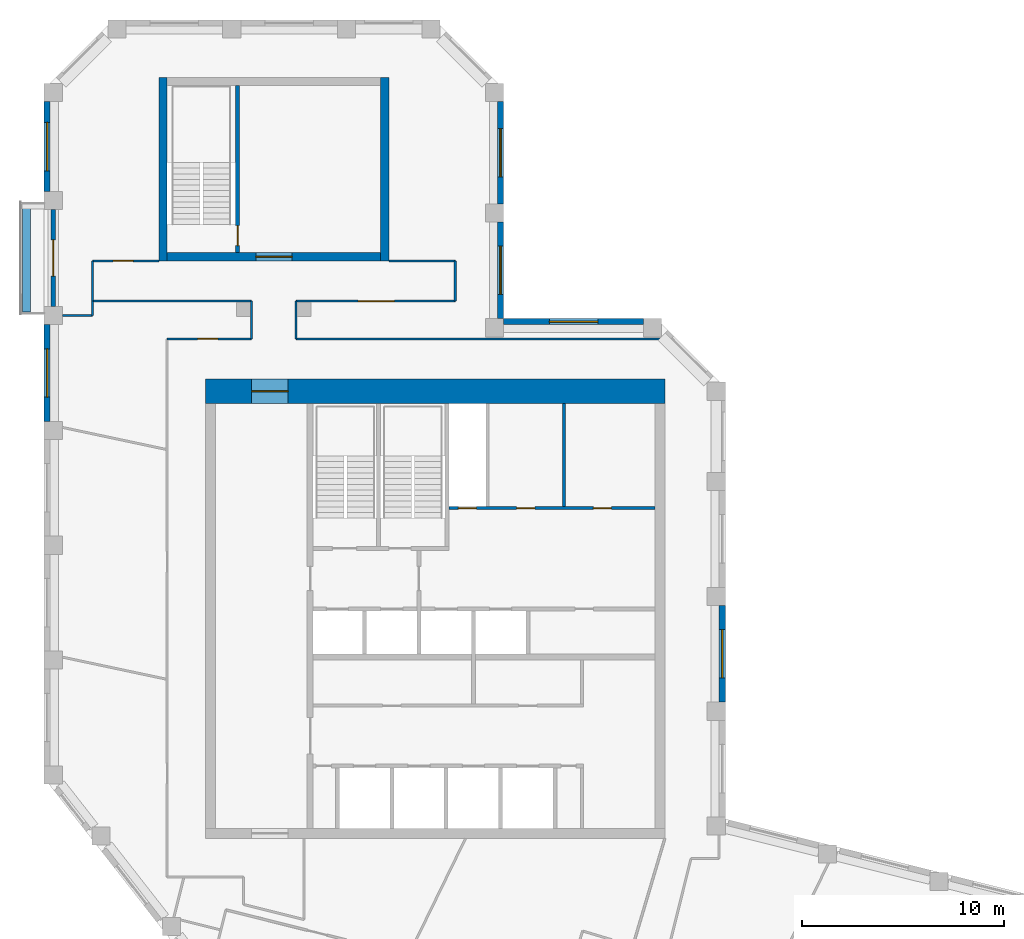
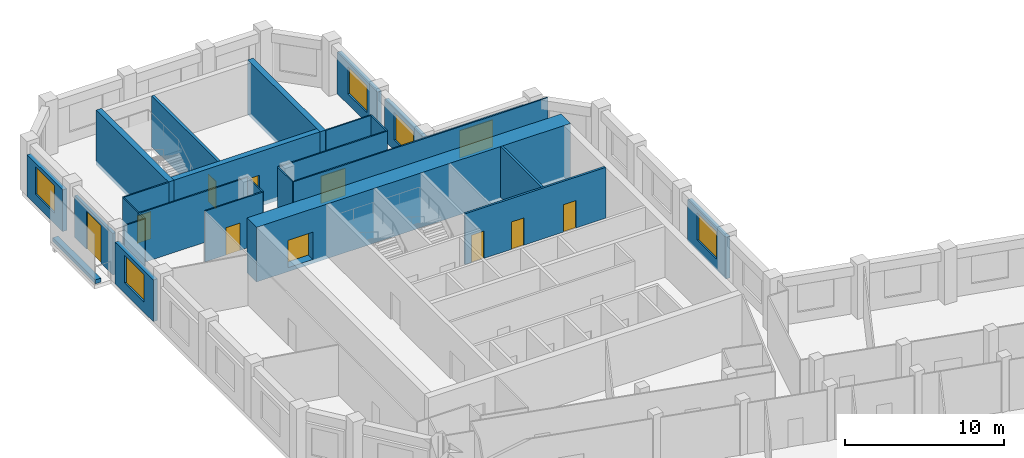
# One storey, part 6 of 8: 27 walls, 10 doors, 6 windows, 16 openings.
"""IFC4 building model written with IfcOpenShell, lengths in metres."""

from ifc_helpers import new_model, si_unit, direction, frame, frame_2d, origin, place, context, subcontext, project, spatial, rectangle, extrude, material, layer, layer_set, type_object, element, fill, save


model = new_model("IFC4")

# Units and contexts
model_context = context("Model", 3, precision=1e-05, world=origin(), true_north=direction((0.0, 1.0)))
body_context = subcontext(model_context, "Body", "Model", "MODEL_VIEW")
ifc_project = project(units=[si_unit("LENGTHUNIT", "METRE"), si_unit("AREAUNIT", "SQUARE_METRE"), si_unit("VOLUMEUNIT", "CUBIC_METRE"), si_unit("PLANEANGLEUNIT", "RADIAN"), si_unit("MASSUNIT", "GRAM", prefix="KILO")], contexts=[model_context])

# Site, building, storey
site_placement = place(None, origin())
site = spatial("IfcSite", under=ifc_project, at=site_placement, CompositionType="ELEMENT")
building_placement = place(site_placement, origin())
building = spatial("IfcBuilding", under=site, at=building_placement, Name="Meshkara Civic Tower", CompositionType="ELEMENT")
storey_placement = place(building_placement, frame((0.0, 0.0, 366.60009765625)))
storey = spatial("IfcBuildingStorey", under=building, at=storey_placement, Name="L84", CompositionType="ELEMENT", Elevation=366.60009765625)

# Wall, openings, doors
ifc_material_1 = material(Name="Blockwork", Category="masonry")
ifc_layer_1 = layer(ifc_material_1, 0.14990234375)
ifc_layer_set_1 = layer_set([ifc_layer_1], Name="Core partition 150")
wall_type_1 = type_object("IfcWallType", Name="Core partition 150", PredefinedType="PARTITIONING", material=ifc_layer_set_1)
wall_1_placement = place(storey_placement, frame((20.10009765625, 30.5, 0.0), z_axis=(0.0, 0.0, 1.0), x_axis=(1.0, 0.0, 0.0)))
wall_1 = element("IfcWall", 1, at=wall_1_placement, inside=storey, type_object=wall_type_1, Name="L84-C010", PredefinedType="PARTITIONING", context=body_context, shape_type="SweptSolid", body=[
    extrude(rectangle(XDim=10.199951171875, YDim=0.14990234375, at=frame_2d((5.10009765625, 0.0))), origin(), (0.0, 0.0, 1.0), 3.89990234375),
])
opening_1_placement = place(wall_1_placement, frame((0.449951171875, 0.0, 0.0)))
opening_1 = element("IfcOpeningElement", 2, at=opening_1_placement, cuts=wall_1, Name="Opening L84-K014", PredefinedType="OPENING", context=body_context, shape_type="SweptSolid", body=[
    extrude(rectangle(XDim=0.89990234375, YDim=2.10009765625, at=frame_2d((0.449951171875, 1.050048828125))), frame((0.0, 0.0849609375, 0.0), z_axis=(0.0, -1.0, 0.0), x_axis=(1.0, 0.0, 0.0)), (0.0, 0.0, 1.0), 0.169921875),
])
opening_2_placement = place(wall_1_placement, frame((3.35009765625, 0.0, 0.0)))
opening_2 = element("IfcOpeningElement", 3, at=opening_2_placement, cuts=wall_1, Name="Opening L84-K015", PredefinedType="OPENING", context=body_context, shape_type="SweptSolid", body=[
    extrude(rectangle(XDim=0.89990234375, YDim=2.10009765625, at=frame_2d((0.449951171875, 1.050048828125))), frame((0.0, 0.0849609375, 0.0), z_axis=(0.0, -1.0, 0.0), x_axis=(1.0, 0.0, 0.0)), (0.0, 0.0, 1.0), 0.169921875),
])
opening_3_placement = place(wall_1_placement, frame((7.14990234375, 0.0, 0.0)))
opening_3 = element("IfcOpeningElement", 4, at=opening_3_placement, cuts=wall_1, Name="Opening L84-K016", PredefinedType="OPENING", context=body_context, shape_type="SweptSolid", body=[
    extrude(rectangle(XDim=0.89990234375, YDim=2.10009765625, at=frame_2d((0.449951171875, 1.050048828125))), frame((0.0, 0.0849609375, 0.0), z_axis=(0.0, -1.0, 0.0), x_axis=(1.0, 0.0, 0.0)), (0.0, 0.0, 1.0), 0.169921875),
])
ifc_material_2 = material(Name="Timber door leaf in steel frame", Category="steel")
door_type_1 = type_object("IfcDoorType", Name="Core room door 900", OperationType="SINGLE_SWING_LEFT", PredefinedType="DOOR", material=ifc_material_2)
door_1_placement = place(opening_2_placement, origin())
door_1 = element("IfcDoor", 5, at=door_1_placement, inside=storey, type_object=door_type_1, Name="L84-K015", OperationType="SINGLE_SWING_RIGHT", OverallHeight=2.10009765625, OverallWidth=0.89990234375, PredefinedType="DOOR", context=body_context, shape_type="SweptSolid", body=[
    extrude(rectangle(XDim=0.89990234375, YDim=2.10009765625, at=frame_2d((0.449951171875, 1.050048828125))), frame((0.0, 0.02490234375, 0.0), z_axis=(0.0, -1.0, 0.0), x_axis=(1.0, 0.0, 0.0)), (0.0, 0.0, 1.0), 0.050048828125),
])
fill(opening_2, door_1)
ifc_material_3 = material(Name="Fire-rated door leaf in steel frame", Category="steel")
door_type_2 = type_object("IfcDoorType", Name="Riser door 900", OperationType="SINGLE_SWING_LEFT", PredefinedType="DOOR", material=ifc_material_3)
door_2_placement = place(opening_1_placement, origin())
door_2 = element("IfcDoor", 6, at=door_2_placement, inside=storey, type_object=door_type_2, Name="L84-K014", OperationType="SINGLE_SWING_RIGHT", OverallHeight=2.10009765625, OverallWidth=0.89990234375, PredefinedType="DOOR", context=body_context, shape_type="SweptSolid", body=[
    extrude(rectangle(XDim=0.89990234375, YDim=2.10009765625, at=frame_2d((0.449951171875, 1.050048828125))), frame((0.0, 0.02490234375, 0.0), z_axis=(0.0, -1.0, 0.0), x_axis=(1.0, 0.0, 0.0)), (0.0, 0.0, 1.0), 0.050048828125),
])
fill(opening_1, door_2)
ifc_material_4 = material(Name="Timber door leaf in steel frame", Category="steel")
door_type_3 = type_object("IfcDoorType", Name="WC door 900", OperationType="SINGLE_SWING_LEFT", PredefinedType="DOOR", material=ifc_material_4)
door_3_placement = place(opening_3_placement, origin())
door_3 = element("IfcDoor", 7, at=door_3_placement, inside=storey, type_object=door_type_3, Name="L84-K016", OperationType="SINGLE_SWING_LEFT", OverallHeight=2.10009765625, OverallWidth=0.89990234375, PredefinedType="DOOR", context=body_context, shape_type="SweptSolid", body=[
    extrude(rectangle(XDim=0.89990234375, YDim=2.10009765625, at=frame_2d((0.449951171875, 1.050048828125))), frame((0.0, 0.02490234375, 0.0), z_axis=(0.0, -1.0, 0.0), x_axis=(1.0, 0.0, 0.0)), (0.0, 0.0, 1.0), 0.050048828125),
])
fill(opening_3, door_3)

# Wall
wall_2_placement = place(storey_placement, frame((25.800048828125, 30.574951171875, 0.0), z_axis=(0.0, 0.0, 1.0), x_axis=(0.0, 1.0, 0.0)))
element("IfcWall", 8, at=wall_2_placement, inside=storey, type_object=wall_type_1, Name="L84-C024", PredefinedType="PARTITIONING", context=body_context, shape_type="SweptSolid", body=[
    extrude(rectangle(XDim=5.125, YDim=0.14990234375, at=frame_2d((2.5625, 0.0))), origin(), (0.0, 0.0, 1.0), 3.89990234375),
])

# Wall, opening, door
ifc_material_5 = material(Name="Concrete C50", Category="concrete")
ifc_layer_2 = layer(ifc_material_5, 1.199951171875)
ifc_layer_set_2 = layer_set([ifc_layer_2], Name="Core ring wall 1200 C50")
wall_type_2 = type_object("IfcWallType", Name="Core ring wall 1200 C50", PredefinedType="SHEAR", material=ifc_layer_set_2)
wall_3_placement = place(storey_placement, frame((8.0, 36.300048828125, -0.300048828125), z_axis=(0.0, 0.0, 1.0), x_axis=(1.0, 0.0, 0.0)))
wall_3 = element("IfcWall", 9, at=wall_3_placement, inside=storey, type_object=wall_type_2, Name="L84-C002", PredefinedType="SHEAR", context=body_context, shape_type="SweptSolid", body=[
    extrude(rectangle(XDim=22.800048828125, YDim=1.199951171875, at=frame_2d((11.39990234375, 0.0))), origin(), (0.0, 0.0, 1.0), 4.199951171875),
])
opening_4_placement = place(wall_3_placement, frame((2.300048828125, 0.0, 0.300048828125)))
opening_4 = element("IfcOpeningElement", 10, at=opening_4_placement, cuts=wall_3, Name="Opening L84-K022", PredefinedType="OPENING", context=body_context, shape_type="SweptSolid", body=[
    extrude(rectangle(XDim=1.800048828125, YDim=2.10009765625, at=frame_2d((0.89990234375, 1.050048828125))), frame((0.0, 0.60986328125, 0.0), z_axis=(0.0, -1.0, 0.0), x_axis=(1.0, 0.0, 0.0)), (0.0, 0.0, 1.0), 1.219970703125),
])
ifc_material_6 = material(Name="Fire-rated door leaf in steel frame", Category="steel")
door_type_4 = type_object("IfcDoorType", Name="Core double door 1800 EI 60", OperationType="DOUBLE_DOOR_SINGLE_SWING", PredefinedType="DOOR", material=ifc_material_6)
door_4_placement = place(opening_4_placement, origin())
door_4 = element("IfcDoor", 11, at=door_4_placement, inside=storey, type_object=door_type_4, Name="L84-K022", OperationType="DOUBLE_DOOR_SINGLE_SWING", OverallHeight=2.10009765625, OverallWidth=1.800048828125, PredefinedType="DOOR", context=body_context, shape_type="SweptSolid", body=[
    extrude(rectangle(XDim=1.800048828125, YDim=2.10009765625, at=frame_2d((0.89990234375, 1.050048828125))), frame((0.0, 0.02490234375, 0.0), z_axis=(0.0, -1.0, 0.0), x_axis=(1.0, 0.0, 0.0)), (0.0, 0.0, 1.0), 0.050048828125),
])
fill(opening_4, door_4)

# Walls
ifc_material_7 = material(Name="Corridor wall 100")
ifc_layer_3 = layer(ifc_material_7, 0.10009765625)
ifc_layer_set_3 = layer_set([ifc_layer_3], Name="Corridor wall 100")
wall_type_3 = type_object("IfcWallType", Name="Corridor wall 100", PredefinedType="PARTITIONING", material=ifc_layer_set_3)
wall_4_placement = place(storey_placement, frame((2.39990234375, 40.77001953125, 0.0), z_axis=(0.0, 0.0, 1.0), x_axis=(1.0, 0.0, 0.0)))
element("IfcWall", 12, at=wall_4_placement, inside=storey, type_object=wall_type_3, Name="L84-W001", PredefinedType="PARTITIONING", context=body_context, shape_type="SweptSolid", body=[
    extrude(rectangle(XDim=7.900146484375, YDim=0.10009765625, at=frame_2d((3.9501953125, 0.0))), origin(), (0.0, 0.0, 1.0), 3.89990234375),
])
wall_5_placement = place(storey_placement, frame((2.39990234375, 42.77001953125, 0.0), z_axis=(0.0, 0.0, 1.0), x_axis=(0.0, -1.0, 0.0)))
element("IfcWall", 13, at=wall_5_placement, inside=storey, type_object=wall_type_3, Name="L84-W002", PredefinedType="PARTITIONING", context=body_context, shape_type="SweptSolid", body=[
    extrude(rectangle(XDim=2.0, YDim=0.10009765625, at=frame_2d((1.0, 0.0))), origin(), (0.0, 0.0, 1.0), 3.89990234375),
])

# Wall, opening, door
wall_6_placement = place(storey_placement, frame((5.699951171875, 42.77001953125, 0.0), z_axis=(0.0, 0.0, 1.0), x_axis=(-1.0, 0.0, 0.0)))
wall_6 = element("IfcWall", 14, at=wall_6_placement, inside=storey, type_object=wall_type_3, Name="L84-W003", PredefinedType="PARTITIONING", context=body_context, shape_type="SweptSolid", body=[
    extrude(rectangle(XDim=3.300048828125, YDim=0.10009765625, at=frame_2d((1.64990234375, 0.0))), origin(), (0.0, 0.0, 1.0), 3.89990234375),
])
opening_5_placement = place(wall_6_placement, frame((1.280029296875, 0.0, 0.0)))
opening_5 = element("IfcOpeningElement", 15, at=opening_5_placement, cuts=wall_6, Name="Opening L84-D016", PredefinedType="OPENING", context=body_context, shape_type="SweptSolid", body=[
    extrude(rectangle(XDim=1.0, YDim=2.10009765625, at=frame_2d((0.5, 1.050048828125))), frame((0.0, 0.06005859375, 0.0), z_axis=(0.0, -1.0, 0.0), x_axis=(1.0, 0.0, 0.0)), (0.0, 0.0, 1.0), 0.1201171875),
])
ifc_material_8 = material(Name="Door 1000 x 2100")
door_type_5 = type_object("IfcDoorType", Name="Door 1000 x 2100", OperationType="SINGLE_SWING_LEFT", PredefinedType="DOOR", material=ifc_material_8)
door_5_placement = place(opening_5_placement, origin())
door_5 = element("IfcDoor", 16, at=door_5_placement, inside=storey, type_object=door_type_5, Name="L84-D016", OperationType="SINGLE_SWING_LEFT", OverallHeight=2.10009765625, OverallWidth=1.0, PredefinedType="DOOR", context=body_context, shape_type="SweptSolid", body=[
    extrude(rectangle(XDim=1.0, YDim=2.10009765625, at=frame_2d((0.5, 1.050048828125))), frame((0.0, 0.02490234375, 0.0), z_axis=(0.0, -1.0, 0.0), x_axis=(1.0, 0.0, 0.0)), (0.0, 0.0, 1.0), 0.050048828125),
])
fill(opening_5, door_5)

wall_7_placement = place(storey_placement, frame((10.300048828125, 38.89990234375, 0.0), z_axis=(0.0, 0.0, 1.0), x_axis=(-1.0, 0.0, 0.0)))
wall_7 = element("IfcWall", 17, at=wall_7_placement, inside=storey, type_object=wall_type_3, Name="L84-W011", PredefinedType="PARTITIONING", context=body_context, shape_type="SweptSolid", body=[
    extrude(rectangle(XDim=4.199951171875, YDim=0.10009765625, at=frame_2d((2.10009765625, 0.0))), origin(), (0.0, 0.0, 1.0), 3.89990234375),
])
opening_6_placement = place(wall_7_placement, frame((1.679931640625, 0.0, 0.0)))
opening_6 = element("IfcOpeningElement", 18, at=opening_6_placement, cuts=wall_7, Name="Opening L84-D014", PredefinedType="OPENING", context=body_context, shape_type="SweptSolid", body=[
    extrude(rectangle(XDim=1.0, YDim=2.10009765625, at=frame_2d((0.5, 1.050048828125))), frame((0.0, 0.06005859375, 0.0), z_axis=(0.0, -1.0, 0.0), x_axis=(1.0, 0.0, 0.0)), (0.0, 0.0, 1.0), 0.1201171875),
])
door_6_placement = place(opening_6_placement, origin())
door_6 = element("IfcDoor", 19, at=door_6_placement, inside=storey, type_object=door_type_5, Name="L84-D014", OperationType="SINGLE_SWING_LEFT", OverallHeight=2.10009765625, OverallWidth=1.0, PredefinedType="DOOR", context=body_context, shape_type="SweptSolid", body=[
    extrude(rectangle(XDim=1.0, YDim=2.10009765625, at=frame_2d((0.5, 1.050048828125))), frame((0.0, 0.02490234375, 0.0), z_axis=(0.0, -1.0, 0.0), x_axis=(1.0, 0.0, 0.0)), (0.0, 0.0, 1.0), 0.050048828125),
])
fill(opening_6, door_6)

# Walls
for number, where, z_axis, x_axis, name in (
    (20, (10.300048828125, 40.77001953125, 0.0), (0.0, 0.0, 1.0), (0.0, -1.0, 0.0), "L84-W012"),
    (21, (12.5, 38.89990234375, 0.0), (0.0, 0.0, 1.0), (0.0, 1.0, 0.0), "L84-W013"),
):
    element("IfcWall", number, at=place(storey_placement, frame(where, z_axis=z_axis, x_axis=x_axis)), inside=storey, type_object=wall_type_3, Name=name, PredefinedType="PARTITIONING", context=body_context, shape_type="SweptSolid", body=[
        extrude(rectangle(XDim=1.8701171875, YDim=0.10009765625, at=frame_2d((0.93505859375, 0.0))), origin(), (0.0, 0.0, 1.0), 3.89990234375),
    ])

# Wall, opening, door
wall_8_placement = place(storey_placement, frame((12.5, 40.77001953125, 0.0), z_axis=(0.0, 0.0, 1.0), x_axis=(1.0, 0.0, 0.0)))
wall_8 = element("IfcWall", 22, at=wall_8_placement, inside=storey, type_object=wall_type_3, Name="L84-W014", PredefinedType="PARTITIONING", context=body_context, shape_type="SweptSolid", body=[
    extrude(rectangle(XDim=7.89990234375, YDim=0.10009765625, at=frame_2d((3.949951171875, 0.0))), origin(), (0.0, 0.0, 1.0), 3.89990234375),
])
opening_7_placement = place(wall_8_placement, frame((3.080078125, 0.0, 0.0)))
opening_7 = element("IfcOpeningElement", 23, at=opening_7_placement, cuts=wall_8, Name="Opening L84-D015", PredefinedType="OPENING", context=body_context, shape_type="SweptSolid", body=[
    extrude(rectangle(XDim=1.800048828125, YDim=2.10009765625, at=frame_2d((0.89990234375, 1.050048828125))), frame((0.0, 0.06005859375, 0.0), z_axis=(0.0, -1.0, 0.0), x_axis=(1.0, 0.0, 0.0)), (0.0, 0.0, 1.0), 0.1201171875),
])
ifc_material_9 = material(Name="Door pair 1800 x 2100")
door_type_6 = type_object("IfcDoorType", Name="Door pair 1800 x 2100", OperationType="SINGLE_SWING_LEFT", PredefinedType="DOOR", material=ifc_material_9)
door_7_placement = place(opening_7_placement, origin())
door_7 = element("IfcDoor", 24, at=door_7_placement, inside=storey, type_object=door_type_6, Name="L84-D015", OperationType="DOUBLE_DOOR_SINGLE_SWING", OverallHeight=2.10009765625, OverallWidth=1.800048828125, PredefinedType="DOOR", context=body_context, shape_type="SweptSolid", body=[
    extrude(rectangle(XDim=1.800048828125, YDim=2.10009765625, at=frame_2d((0.89990234375, 1.050048828125))), frame((0.0, 0.02490234375, 0.0), z_axis=(0.0, -1.0, 0.0), x_axis=(1.0, 0.0, 0.0)), (0.0, 0.0, 1.0), 0.050048828125),
])
fill(opening_7, door_7)

# Walls
wall_9_placement = place(storey_placement, frame((20.39990234375, 40.77001953125, 0.0), z_axis=(0.0, 0.0, 1.0), x_axis=(0.0, 1.0, 0.0)))
element("IfcWall", 25, at=wall_9_placement, inside=storey, type_object=wall_type_3, Name="L84-W017", PredefinedType="PARTITIONING", context=body_context, shape_type="SweptSolid", body=[
    extrude(rectangle(XDim=2.0, YDim=0.10009765625, at=frame_2d((1.0, 0.0))), origin(), (0.0, 0.0, 1.0), 3.89990234375),
])
wall_10_placement = place(storey_placement, frame((20.39990234375, 42.77001953125, 0.0), z_axis=(0.0, 0.0, 1.0), x_axis=(-1.0, 0.0, 0.0)))
element("IfcWall", 26, at=wall_10_placement, inside=storey, type_object=wall_type_3, Name="L84-W018", PredefinedType="PARTITIONING", context=body_context, shape_type="SweptSolid", body=[
    extrude(rectangle(XDim=3.2998046875, YDim=0.10009765625, at=frame_2d((1.64990234375, 0.0))), origin(), (0.0, 0.0, 1.0), 3.89990234375),
])
wall_11_placement = place(storey_placement, frame((30.9560546875, 38.89990234375, 0.0), z_axis=(0.0, 0.0, 1.0), x_axis=(-1.0, 0.0, 0.0)))
element("IfcWall", 27, at=wall_11_placement, inside=storey, type_object=wall_type_3, Name="L84-W023", PredefinedType="PARTITIONING", context=body_context, shape_type="SweptSolid", body=[
    extrude(rectangle(XDim=18.4560546875, YDim=0.10009765625, at=frame_2d((9.22802734375, 0.0))), origin(), (0.0, 0.0, 1.0), 3.89990234375),
])

# Wall, opening, window
ifc_material_10 = material(Name="Insulated infill panel with bronze anodised aluminium cladding", Category="aluminium")
ifc_layer_4 = layer(ifc_material_10, 0.300048828125)
ifc_layer_set_4 = layer_set([ifc_layer_4], Name="EXTERNAL INFILL WALL 300")
wall_type_4 = type_object("IfcWallType", Name="EXTERNAL INFILL WALL 300", PredefinedType="SOLIDWALL", material=ifc_layer_set_4)
wall_12_placement = place(storey_placement, frame((33.64990234375, 20.868896484375, 0.0), z_axis=(0.0, 0.0, 1.0), x_axis=(0.0, 1.0, 0.0)))
wall_12 = element("IfcWall", 28, at=wall_12_placement, inside=storey, type_object=wall_type_4, Name="External wall", PredefinedType="SOLIDWALL", context=body_context, shape_type="SweptSolid", body=[
    extrude(rectangle(XDim=4.800048828125, YDim=0.300048828125, at=frame_2d((2.39990234375, 0.0))), origin(), (0.0, 0.0, 1.0), 3.199951171875),
])
opening_8_placement = place(wall_12_placement, frame((1.199951171875, 0.0, 0.800048828125)))
opening_8 = element("IfcOpeningElement", 29, at=opening_8_placement, cuts=wall_12, Name="Opening W7", PredefinedType="OPENING", context=body_context, shape_type="SweptSolid", body=[
    extrude(rectangle(XDim=2.39990234375, YDim=2.10009765625, at=frame_2d((1.199951171875, 1.050048828125))), frame((0.0, 0.159912109375, 0.0), z_axis=(0.0, -1.0, 0.0), x_axis=(1.0, 0.0, 0.0)), (0.0, 0.0, 1.0), 0.320068359375),
])
ifc_material_11 = material(Name="Tinted double glazing", Category="glass")
window_type = type_object("IfcWindowType", Name="WINDOW 2400x2100", PartitioningType="DOUBLE_PANEL_VERTICAL", PredefinedType="WINDOW", material=ifc_material_11)
window_1_placement = place(opening_8_placement, origin())
window_1 = element("IfcWindow", 30, at=window_1_placement, inside=storey, type_object=window_type, Name="Window", OverallHeight=2.10009765625, OverallWidth=2.39990234375, PartitioningType="DOUBLE_PANEL_VERTICAL", PredefinedType="WINDOW", context=body_context, shape_type="SweptSolid", body=[
    extrude(rectangle(XDim=2.39990234375, YDim=2.10009765625, at=frame_2d((1.199951171875, 1.050048828125))), frame((0.0, 0.030029296875, 0.0), z_axis=(0.0, -1.0, 0.0), x_axis=(1.0, 0.0, 0.0)), (0.0, 0.0, 1.0), 0.06005859375),
])
fill(opening_8, window_1)

wall_13_placement = place(storey_placement, frame((29.743896484375, 39.75, 0.0), z_axis=(0.0, 0.0, 1.0), x_axis=(-1.0, 0.0, 0.0)))
wall_13 = element("IfcWall", 31, at=wall_13_placement, inside=storey, type_object=wall_type_4, Name="External wall", PredefinedType="SOLIDWALL", context=body_context, shape_type="SweptSolid", body=[
    extrude(rectangle(XDim=6.94384765625, YDim=0.300048828125, at=frame_2d((3.471923828125, 0.0))), origin(), (0.0, 0.0, 1.0), 3.199951171875),
])
opening_9_placement = place(wall_13_placement, frame((2.27197265625, 0.0, 0.800048828125)))
opening_9 = element("IfcOpeningElement", 32, at=opening_9_placement, cuts=wall_13, Name="Opening W7", PredefinedType="OPENING", context=body_context, shape_type="SweptSolid", body=[
    extrude(rectangle(XDim=2.39990234375, YDim=2.10009765625, at=frame_2d((1.199951171875, 1.050048828125))), frame((0.0, 0.159912109375, 0.0), z_axis=(0.0, -1.0, 0.0), x_axis=(1.0, 0.0, 0.0)), (0.0, 0.0, 1.0), 0.320068359375),
])
window_2_placement = place(opening_9_placement, origin())
window_2 = element("IfcWindow", 33, at=window_2_placement, inside=storey, type_object=window_type, Name="Window", OverallHeight=2.10009765625, OverallWidth=2.39990234375, PartitioningType="DOUBLE_PANEL_VERTICAL", PredefinedType="WINDOW", context=body_context, shape_type="SweptSolid", body=[
    extrude(rectangle(XDim=2.39990234375, YDim=2.10009765625, at=frame_2d((1.199951171875, 1.050048828125))), frame((0.0, 0.030029296875, 0.0), z_axis=(0.0, -1.0, 0.0), x_axis=(1.0, 0.0, 0.0)), (0.0, 0.0, 1.0), 0.06005859375),
])
fill(opening_9, window_2)

wall_14_placement = place(storey_placement, frame((22.64990234375, 39.89990234375, 0.0), z_axis=(0.0, 0.0, 1.0), x_axis=(0.0, 1.0, 0.0)))
wall_14 = element("IfcWall", 34, at=wall_14_placement, inside=storey, type_object=wall_type_4, Name="External wall", PredefinedType="SOLIDWALL", context=body_context, shape_type="SweptSolid", body=[
    extrude(rectangle(XDim=4.800048828125, YDim=0.300048828125, at=frame_2d((2.39990234375, 0.0))), origin(), (0.0, 0.0, 1.0), 3.199951171875),
])
opening_10_placement = place(wall_14_placement, frame((1.199951171875, 0.0, 0.800048828125)))
opening_10 = element("IfcOpeningElement", 35, at=opening_10_placement, cuts=wall_14, Name="Opening W7", PredefinedType="OPENING", context=body_context, shape_type="SweptSolid", body=[
    extrude(rectangle(XDim=2.39990234375, YDim=2.10009765625, at=frame_2d((1.199951171875, 1.050048828125))), frame((0.0, 0.159912109375, 0.0), z_axis=(0.0, -1.0, 0.0), x_axis=(1.0, 0.0, 0.0)), (0.0, 0.0, 1.0), 0.320068359375),
])
window_3_placement = place(opening_10_placement, origin())
window_3 = element("IfcWindow", 36, at=window_3_placement, inside=storey, type_object=window_type, Name="Window", OverallHeight=2.10009765625, OverallWidth=2.39990234375, PartitioningType="DOUBLE_PANEL_VERTICAL", PredefinedType="WINDOW", context=body_context, shape_type="SweptSolid", body=[
    extrude(rectangle(XDim=2.39990234375, YDim=2.10009765625, at=frame_2d((1.199951171875, 1.050048828125))), frame((0.0, 0.030029296875, 0.0), z_axis=(0.0, -1.0, 0.0), x_axis=(1.0, 0.0, 0.0)), (0.0, 0.0, 1.0), 0.06005859375),
])
fill(opening_10, window_3)

wall_15_placement = place(storey_placement, frame((22.64990234375, 45.60009765625, 0.0), z_axis=(0.0, 0.0, 1.0), x_axis=(0.0, 1.0, 0.0)))
wall_15 = element("IfcWall", 37, at=wall_15_placement, inside=storey, type_object=wall_type_4, Name="External wall", PredefinedType="SOLIDWALL", context=body_context, shape_type="SweptSolid", body=[
    extrude(rectangle(XDim=5.06396484375, YDim=0.300048828125, at=frame_2d((2.531982421875, 0.0))), origin(), (0.0, 0.0, 1.0), 3.199951171875),
])
opening_11_placement = place(wall_15_placement, frame((1.33203125, 0.0, 0.800048828125)))
opening_11 = element("IfcOpeningElement", 38, at=opening_11_placement, cuts=wall_15, Name="Opening W7", PredefinedType="OPENING", context=body_context, shape_type="SweptSolid", body=[
    extrude(rectangle(XDim=2.39990234375, YDim=2.10009765625, at=frame_2d((1.199951171875, 1.050048828125))), frame((0.0, 0.159912109375, 0.0), z_axis=(0.0, -1.0, 0.0), x_axis=(1.0, 0.0, 0.0)), (0.0, 0.0, 1.0), 0.320068359375),
])
window_4_placement = place(opening_11_placement, origin())
window_4 = element("IfcWindow", 39, at=window_4_placement, inside=storey, type_object=window_type, Name="Window", OverallHeight=2.10009765625, OverallWidth=2.39990234375, PartitioningType="DOUBLE_PANEL_VERTICAL", PredefinedType="WINDOW", context=body_context, shape_type="SweptSolid", body=[
    extrude(rectangle(XDim=2.39990234375, YDim=2.10009765625, at=frame_2d((1.199951171875, 1.050048828125))), frame((0.0, 0.030029296875, 0.0), z_axis=(0.0, -1.0, 0.0), x_axis=(1.0, 0.0, 0.0)), (0.0, 0.0, 1.0), 0.06005859375),
])
fill(opening_11, window_4)

wall_16_placement = place(storey_placement, frame((0.14990234375, 50.6640625, 0.0), z_axis=(0.0, 0.0, 1.0), x_axis=(0.0, -1.0, 0.0)))
wall_16 = element("IfcWall", 40, at=wall_16_placement, inside=storey, type_object=wall_type_4, Name="External wall", PredefinedType="SOLIDWALL", context=body_context, shape_type="SweptSolid", body=[
    extrude(rectangle(XDim=4.458984375, YDim=0.300048828125, at=frame_2d((2.2294921875, 0.0))), origin(), (0.0, 0.0, 1.0), 3.199951171875),
])
opening_12_placement = place(wall_16_placement, frame((1.029052734375, 0.0, 0.800048828125)))
opening_12 = element("IfcOpeningElement", 41, at=opening_12_placement, cuts=wall_16, Name="Opening W7", PredefinedType="OPENING", context=body_context, shape_type="SweptSolid", body=[
    extrude(rectangle(XDim=2.39990234375, YDim=2.10009765625, at=frame_2d((1.199951171875, 1.050048828125))), frame((0.0, 0.159912109375, 0.0), z_axis=(0.0, -1.0, 0.0), x_axis=(1.0, 0.0, 0.0)), (0.0, 0.0, 1.0), 0.320068359375),
])
window_5_placement = place(opening_12_placement, origin())
window_5 = element("IfcWindow", 42, at=window_5_placement, inside=storey, type_object=window_type, Name="Window", OverallHeight=2.10009765625, OverallWidth=2.39990234375, PartitioningType="DOUBLE_PANEL_VERTICAL", PredefinedType="WINDOW", context=body_context, shape_type="SweptSolid", body=[
    extrude(rectangle(XDim=2.39990234375, YDim=2.10009765625, at=frame_2d((1.199951171875, 1.050048828125))), frame((0.0, 0.030029296875, 0.0), z_axis=(0.0, -1.0, 0.0), x_axis=(1.0, 0.0, 0.0)), (0.0, 0.0, 1.0), 0.06005859375),
])
fill(opening_12, window_5)

wall_17_placement = place(storey_placement, frame((0.14990234375, 39.60498046875, 0.0), z_axis=(0.0, 0.0, 1.0), x_axis=(0.0, -1.0, 0.0)))
wall_17 = element("IfcWall", 43, at=wall_17_placement, inside=storey, type_object=wall_type_4, Name="External wall", PredefinedType="SOLIDWALL", context=body_context, shape_type="SweptSolid", body=[
    extrude(rectangle(XDim=4.800048828125, YDim=0.300048828125, at=frame_2d((2.39990234375, 0.0))), origin(), (0.0, 0.0, 1.0), 3.199951171875),
])
opening_13_placement = place(wall_17_placement, frame((1.199951171875, 0.0, 0.800048828125)))
opening_13 = element("IfcOpeningElement", 44, at=opening_13_placement, cuts=wall_17, Name="Opening W7", PredefinedType="OPENING", context=body_context, shape_type="SweptSolid", body=[
    extrude(rectangle(XDim=2.39990234375, YDim=2.10009765625, at=frame_2d((1.199951171875, 1.050048828125))), frame((0.0, 0.159912109375, 0.0), z_axis=(0.0, -1.0, 0.0), x_axis=(1.0, 0.0, 0.0)), (0.0, 0.0, 1.0), 0.320068359375),
])
window_6_placement = place(opening_13_placement, origin())
window_6 = element("IfcWindow", 45, at=window_6_placement, inside=storey, type_object=window_type, Name="Window", OverallHeight=2.10009765625, OverallWidth=2.39990234375, PartitioningType="DOUBLE_PANEL_VERTICAL", PredefinedType="WINDOW", context=body_context, shape_type="SweptSolid", body=[
    extrude(rectangle(XDim=2.39990234375, YDim=2.10009765625, at=frame_2d((1.199951171875, 1.050048828125))), frame((0.0, 0.030029296875, 0.0), z_axis=(0.0, -1.0, 0.0), x_axis=(1.0, 0.0, 0.0)), (0.0, 0.0, 1.0), 0.06005859375),
])
fill(opening_13, window_6)

# Walls
ifc_material_12 = material(Name="Concrete C50", Category="concrete")
ifc_layer_5 = layer(ifc_material_12, 0.39990234375)
ifc_layer_set_5 = layer_set([ifc_layer_5], Name="End core ring wall 400 C50")
wall_type_5 = type_object("IfcWallType", Name="End core ring wall 400 C50", PredefinedType="SHEAR", material=ifc_layer_set_5)
for number, where, z_axis, x_axis, name in (
    (46, (5.89990234375, 42.77001953125, -0.300048828125), (0.0, 0.0, 1.0), (0.0, 1.0, 0.0), "L84-C027"),
    (47, (16.89990234375, 42.77001953125, -0.300048828125), (0.0, 0.0, 1.0), (0.0, 1.0, 0.0), "L84-C028"),
):
    element("IfcWall", number, at=place(storey_placement, frame(where, z_axis=z_axis, x_axis=x_axis)), inside=storey, type_object=wall_type_5, Name=name, PredefinedType="SHEAR", context=body_context, shape_type="SweptSolid", body=[
        extrude(rectangle(XDim=9.10009765625, YDim=0.39990234375, at=frame_2d((4.550048828125, 0.0))), origin(), (0.0, 0.0, 1.0), 4.199951171875),
    ])

# Wall, opening, door
wall_18_placement = place(storey_placement, frame((6.10009765625, 42.969970703125, -0.300048828125), z_axis=(0.0, 0.0, 1.0), x_axis=(1.0, 0.0, 0.0)))
wall_18 = element("IfcWall", 48, at=wall_18_placement, inside=storey, type_object=wall_type_5, Name="L84-C029", PredefinedType="SHEAR", context=body_context, shape_type="SweptSolid", body=[
    extrude(rectangle(XDim=10.599853515625, YDim=0.39990234375, at=frame_2d((5.2998046875, 0.0))), origin(), (0.0, 0.0, 1.0), 4.199951171875),
])
opening_14_placement = place(wall_18_placement, frame((4.39990234375, 0.0, 0.300048828125)))
opening_14 = element("IfcOpeningElement", 49, at=opening_14_placement, cuts=wall_18, Name="Opening L84-K102", PredefinedType="OPENING", context=body_context, shape_type="SweptSolid", body=[
    extrude(rectangle(XDim=1.800048828125, YDim=2.10009765625, at=frame_2d((0.89990234375, 1.050048828125))), frame((0.0, 0.2099609375, 0.0), z_axis=(0.0, -1.0, 0.0), x_axis=(1.0, 0.0, 0.0)), (0.0, 0.0, 1.0), 0.419921875),
])
door_8_placement = place(opening_14_placement, origin())
door_8 = element("IfcDoor", 50, at=door_8_placement, inside=storey, type_object=door_type_4, Name="L84-K102", OperationType="DOUBLE_DOOR_SINGLE_SWING", OverallHeight=2.10009765625, OverallWidth=1.800048828125, PredefinedType="DOOR", context=body_context, shape_type="SweptSolid", body=[
    extrude(rectangle(XDim=1.800048828125, YDim=2.10009765625, at=frame_2d((0.89990234375, 1.050048828125))), frame((0.0, 0.02490234375, 0.0), z_axis=(0.0, -1.0, 0.0), x_axis=(1.0, 0.0, 0.0)), (0.0, 0.0, 1.0), 0.050048828125),
])
fill(opening_14, door_8)

ifc_material_13 = material(Name="Insulated infill panel with bronze anodised aluminium cladding", Category="aluminium")
ifc_layer_6 = layer(ifc_material_13, 0.199951171875)
ifc_layer_set_6 = layer_set([ifc_layer_6], Name="LOGGIA BACK WALL 200")
wall_type_6 = type_object("IfcWallType", Name="LOGGIA BACK WALL 200", PredefinedType="SOLIDWALL", material=ifc_layer_set_6)
wall_19_placement = place(storey_placement, frame((0.449951171875, 45.304931640625, 0.0), z_axis=(0.0, 0.0, 1.0), x_axis=(0.0, -1.0, 0.0)))
wall_19 = element("IfcWall", 51, at=wall_19_placement, inside=storey, type_object=wall_type_6, Name="Loggia wall", PredefinedType="SOLIDWALL", context=body_context, shape_type="SweptSolid", body=[
    extrude(rectangle(XDim=4.800048828125, YDim=0.199951171875, at=frame_2d((2.39990234375, 0.0))), origin(), (0.0, 0.0, 1.0), 3.199951171875),
])
opening_15_placement = place(wall_19_placement, frame((1.5, 0.0, 0.0)))
opening_15 = element("IfcOpeningElement", 52, at=opening_15_placement, cuts=wall_19, Name="Opening L84-L001", PredefinedType="OPENING", context=body_context, shape_type="SweptSolid", body=[
    extrude(rectangle(XDim=1.800048828125, YDim=2.89990234375, at=frame_2d((0.89990234375, 1.449951171875))), frame((0.0, 0.10986328125, 0.0), z_axis=(0.0, -1.0, 0.0), x_axis=(1.0, 0.0, 0.0)), (0.0, 0.0, 1.0), 0.219970703125),
])
ifc_material_14 = material(Name="Tinted double glazing", Category="glass")
door_type_7 = type_object("IfcDoorType", Name="LOGGIA DOOR 1800x2900", OperationType="DOUBLE_DOOR_SINGLE_SWING", PredefinedType="DOOR", material=ifc_material_14)
door_9_placement = place(opening_15_placement, origin())
door_9 = element("IfcDoor", 53, at=door_9_placement, inside=storey, type_object=door_type_7, Name="L84-L001", OperationType="DOUBLE_DOOR_SINGLE_SWING", OverallHeight=2.89990234375, OverallWidth=1.800048828125, PredefinedType="DOOR", context=body_context, shape_type="SweptSolid", body=[
    extrude(rectangle(XDim=1.800048828125, YDim=2.89990234375, at=frame_2d((0.89990234375, 1.449951171875))), frame((0.0, 0.02490234375, 0.0), z_axis=(0.0, -1.0, 0.0), x_axis=(1.0, 0.0, 0.0)), (0.0, 0.0, 1.0), 0.050048828125),
])
fill(opening_15, door_9)

# Walls
ifc_material_15 = material(Name="Concrete C40", Category="concrete")
ifc_layer_7 = layer(ifc_material_15, 0.39990234375)
ifc_layer_set_7 = layer_set([ifc_layer_7], Name="PLANTER TRAY")
wall_type_7 = type_object("IfcWallType", Name="PLANTER TRAY", PredefinedType="SOLIDWALL", material=ifc_layer_set_7)
wall_20_placement = place(storey_placement, frame((-0.8798828125, 45.5849609375, 0.0), z_axis=(0.0, 0.0, 1.0), x_axis=(0.0, -1.0, 0.0)))
element("IfcWall", 54, at=wall_20_placement, inside=storey, type_object=wall_type_7, Name="Planter", PredefinedType="SOLIDWALL", context=body_context, shape_type="SweptSolid", body=[
    extrude(rectangle(XDim=5.35986328125, YDim=0.39990234375, at=frame_2d((2.679931640625, 0.0))), origin(), (0.0, 0.0, 1.0), 0.2998046875),
])
ifc_material_16 = material(Name="Partition 100")
ifc_layer_8 = layer(ifc_material_16, 0.10009765625)
ifc_layer_set_8 = layer_set([ifc_layer_8], Name="Partition 100")
wall_type_8 = type_object("IfcWallType", Name="Partition 100", PredefinedType="PARTITIONING", material=ifc_layer_set_8)
wall_21_placement = place(storey_placement, frame((2.39990234375, 40.054931640625, 0.0), z_axis=(0.0, 0.0, 1.0), x_axis=(-1.0, 0.0, 0.0)))
element("IfcWall", 55, at=wall_21_placement, inside=storey, type_object=wall_type_8, Name="L84-W038", PredefinedType="PARTITIONING", context=body_context, shape_type="SweptSolid", body=[
    extrude(rectangle(XDim=1.5, YDim=0.10009765625, at=frame_2d((0.75, 0.0))), origin(), (0.0, 0.0, 1.0), 3.89990234375),
])
wall_22_placement = place(storey_placement, frame((2.39990234375, 40.77392578125, 0.0), z_axis=(0.0, 0.0, 1.0), x_axis=(0.0, -1.0, 0.0)))
element("IfcWall", 56, at=wall_22_placement, inside=storey, type_object=wall_type_8, Name="L84-W039", PredefinedType="PARTITIONING", context=body_context, shape_type="SweptSolid", body=[
    extrude(rectangle(XDim=0.718994140625, YDim=0.10009765625, at=frame_2d((0.359375, 0.0))), origin(), (0.0, 0.0, 1.0), 3.89990234375),
])

# Wall, opening, door
ifc_material_17 = material(Name="Concrete C40/50", Category="concrete")
ifc_layer_9 = layer(ifc_material_17, 0.199951171875)
ifc_layer_set_9 = layer_set([ifc_layer_9], Name="Stair enclosure wall 200 C40/50")
wall_type_9 = type_object("IfcWallType", Name="Stair enclosure wall 200 C40/50", PredefinedType="SOLIDWALL", material=ifc_layer_set_9)
wall_23_placement = place(storey_placement, frame((9.60009765625, 43.169921875, 0.0), z_axis=(0.0, 0.0, 1.0), x_axis=(0.0, 1.0, 0.0)))
wall_23 = element("IfcWall", 57, at=wall_23_placement, inside=storey, type_object=wall_type_9, Name="L84-C031", PredefinedType="SOLIDWALL", context=body_context, shape_type="SweptSolid", body=[
    extrude(rectangle(XDim=8.300048828125, YDim=0.199951171875, at=frame_2d((4.14990234375, 0.0))), origin(), (0.0, 0.0, 1.0), 3.89990234375),
])
opening_16_placement = place(wall_23_placement, frame((0.35009765625, 0.0, 0.0)))
opening_16 = element("IfcOpeningElement", 58, at=opening_16_placement, cuts=wall_23, Name="Opening L84-K101", PredefinedType="OPENING", context=body_context, shape_type="SweptSolid", body=[
    extrude(rectangle(XDim=1.0, YDim=2.10009765625, at=frame_2d((0.5, 1.050048828125))), frame((0.0, 0.10986328125, 0.0), z_axis=(0.0, -1.0, 0.0), x_axis=(1.0, 0.0, 0.0)), (0.0, 0.0, 1.0), 0.219970703125),
])
ifc_material_18 = material(Name="Fire-rated door leaf in steel frame", Category="steel")
door_type_8 = type_object("IfcDoorType", Name="Stair door 1000 EI 120", OperationType="SINGLE_SWING_LEFT", PredefinedType="DOOR", material=ifc_material_18)
door_10_placement = place(opening_16_placement, origin())
door_10 = element("IfcDoor", 59, at=door_10_placement, inside=storey, type_object=door_type_8, Name="L84-K101", OperationType="SINGLE_SWING_RIGHT", OverallHeight=2.10009765625, OverallWidth=1.0, PredefinedType="DOOR", context=body_context, shape_type="SweptSolid", body=[
    extrude(rectangle(XDim=1.0, YDim=2.10009765625, at=frame_2d((0.5, 1.050048828125))), frame((0.0, 0.02490234375, 0.0), z_axis=(0.0, -1.0, 0.0), x_axis=(1.0, 0.0, 0.0)), (0.0, 0.0, 1.0), 0.050048828125),
])
fill(opening_16, door_10)

save(model, "model.ifc")
